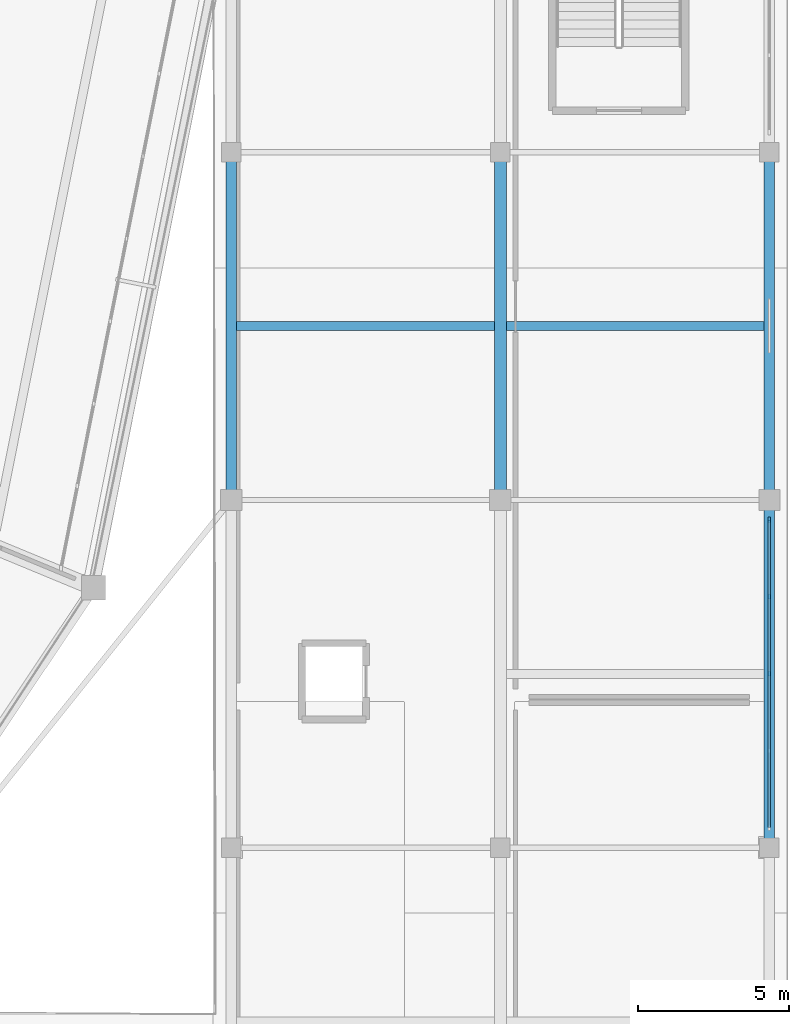
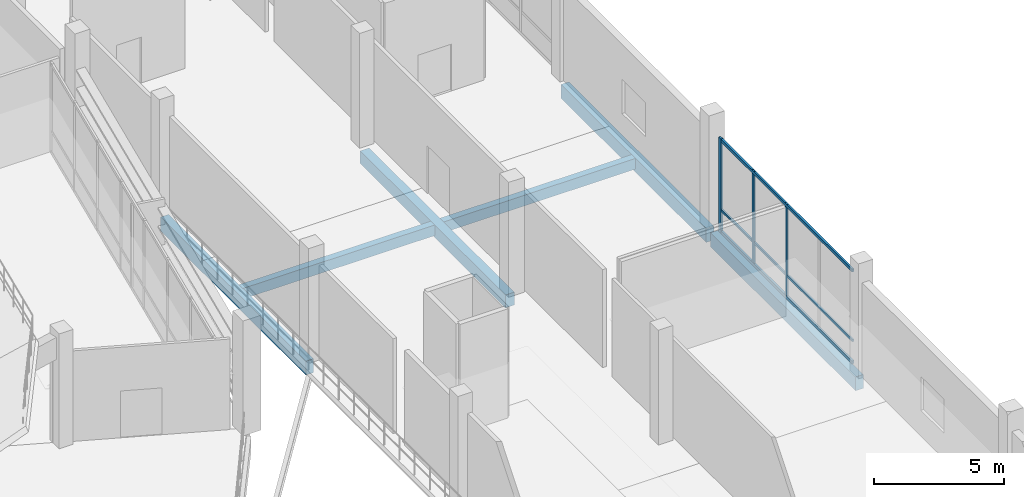
# One storey, part 40 of 127: 6 beams, 6 members, 1 element without a shape of its own.
"""IFC4 building model written with IfcOpenShell, lengths in metres."""

import ifcopenshell
import ifcopenshell.guid

model = None  # the IFC model being written
_history = None  # IfcOwnerHistory: only IFC2X3 demands one
_inside = {}  # id of a spatial element -> (the spatial element, [elements in it])
_under = {}  # id of a project, library or spatial element -> (it, [spatial elements below it])
_declared = {}  # id of a project -> (the project, [libraries it declares])
_typed = {}  # id of a type object -> (the type object, [elements of that type])
_made_of = {}  # id of a material, layer set ... -> (it, [elements and type objects made of it])


def new_model(schema):
    """Start an empty IFC model of exactly this schema.

    Asked for "IFC4X3", IfcOpenShell would pick the latest addendum, in which some entities
    have other attributes; the version numbers below select the first issue.
    IFC2X3 requires an IfcOwnerHistory on every rooted entity: one is made here for all.
    """
    global model, _history
    if schema == "IFC4X3":
        model = ifcopenshell.file(schema_version=(4, 3, 0, 0))
    else:
        model = ifcopenshell.file(schema=schema)
    _inside.clear()
    _under.clear()
    _declared.clear()
    _typed.clear()
    _made_of.clear()
    _history = None
    if model.schema == "IFC2X3":
        org = make("IfcOrganization", Name="unknown")
        user = make(
            "IfcPersonAndOrganization",
            ThePerson=make("IfcPerson", FamilyName="unknown"),
            TheOrganization=org,
        )
        app = make(
            "IfcApplication",
            ApplicationDeveloper=org,
            Version="unknown",
            ApplicationFullName="unknown",
            ApplicationIdentifier="unknown",
        )
        _history = make(
            "IfcOwnerHistory",
            OwningUser=user,
            OwningApplication=app,
            ChangeAction="ADDED",
            CreationDate=0,
        )
    return model


def make(cls, **values):
    """One entity of the class cls with the attributes given. An attribute that is None is left unset."""
    return model.create_entity(
        cls, **{name: value for name, value in values.items() if value is not None}
    )


def rooted(cls, **values):
    """An entity with a GlobalId (a new one), such as an element, a storey or a relation."""
    return make(cls, GlobalId=ifcopenshell.guid.new(), OwnerHistory=_history, **values)


def si_unit(unit_type, name, prefix=None):
    """IfcSIUnit, for example si_unit("LENGTHUNIT", "METRE", prefix="MILLI")."""
    return make("IfcSIUnit", UnitType=unit_type, Prefix=prefix, Name=name)


def assignment(units):
    """IfcUnitAssignment: the units of a project."""
    return None if units is None else make("IfcUnitAssignment", Units=units)


def point(xyz):
    """IfcCartesianPoint."""
    return None if xyz is None else make("IfcCartesianPoint", Coordinates=xyz)


def direction(xyz):
    """IfcDirection."""
    return None if xyz is None else make("IfcDirection", DirectionRatios=xyz)


def frame(location, z_axis=None, x_axis=None):
    """IfcAxis2Placement3D, a coordinate frame: its origin and axes. An axis left out is left unset."""
    return make(
        "IfcAxis2Placement3D",
        Location=point(location),
        Axis=direction(z_axis),
        RefDirection=direction(x_axis),
    )


def frame_2d(location, x_axis=None):
    """IfcAxis2Placement2D, a coordinate frame in the plane: its origin and x axis."""
    return make(
        "IfcAxis2Placement2D", Location=point(location), RefDirection=direction(x_axis)
    )


def origin():
    """The frame at (0, 0, 0) with its axes left unset."""
    return frame((0.0, 0.0, 0.0))


def origin_2d():
    """The frame at (0, 0) in the plane with its x axis left unset."""
    return frame_2d((0.0, 0.0))


def place(relative_to, where):
    """IfcLocalPlacement: puts the frame where relative to a parent placement (None: the world)."""
    return make(
        "IfcLocalPlacement", PlacementRelTo=relative_to, RelativePlacement=where
    )


def context(
    kind, dimensions, precision=None, world=None, true_north=None, identifier=None
):
    """IfcGeometricRepresentationContext, for example the 3D "Model" context."""
    return make(
        "IfcGeometricRepresentationContext",
        ContextIdentifier=identifier,
        ContextType=kind,
        CoordinateSpaceDimension=dimensions,
        Precision=precision,
        WorldCoordinateSystem=world,
        TrueNorth=true_north,
    )


def subcontext(parent, identifier, kind, view, scale=None):
    """IfcGeometricRepresentationSubContext, for example "Body" below "Model"."""
    return make(
        "IfcGeometricRepresentationSubContext",
        ContextIdentifier=identifier,
        ContextType=kind,
        ParentContext=parent,
        TargetScale=scale,
        TargetView=view,
    )


def project(units=None, contexts=None):
    """IfcProject with its units and contexts."""
    return rooted(
        "IfcProject",
        Name="project",
        RepresentationContexts=contexts,
        UnitsInContext=assignment(units),
    )


def spatial(cls, under=None, at=None, **own):
    """A site, building, storey or space (cls), placed at a placement, below another one or the project."""
    s = rooted(cls, ObjectPlacement=at, **own)
    if under is not None:
        _under.setdefault(under.id(), (under, []))[1].append(s)
    return s


def profile(cls, at=None, kind="AREA", **sizes):
    """A parametric profile (cls). Its sizes go by their IFC names, for example OverallWidth=200.0."""
    return make(cls, ProfileType=kind, Position=at, **sizes)


def rectangle(**sizes):
    """IfcRectangleProfileDef."""
    return profile("IfcRectangleProfileDef", **sizes)


def extrude(swept, where, along, depth):
    """IfcExtrudedAreaSolid: the profile swept, set in the frame where, extruded along a direction by depth."""
    return make(
        "IfcExtrudedAreaSolid",
        SweptArea=swept,
        Position=where,
        ExtrudedDirection=direction(along),
        Depth=depth,
    )


def shape(context_of_items, identifier, shape_type, items):
    """IfcShapeRepresentation: the items that make up one representation, for example the "Body"."""
    return make(
        "IfcShapeRepresentation",
        ContextOfItems=context_of_items,
        RepresentationIdentifier=identifier,
        RepresentationType=shape_type,
        Items=items,
    )


def material(Name=None, Category=None):
    """IfcMaterial."""
    return make("IfcMaterial", Name=Name, Category=Category)


def material_profile(
    of_material, cross_section, Name=None, Category=None, Priority=None
):
    """IfcMaterialProfile: a cross section and its material."""
    return make(
        "IfcMaterialProfile",
        Name=Name,
        Material=of_material,
        Profile=cross_section,
        Priority=Priority,
        Category=Category,
    )


def profile_set(profiles, Name=None, composite=None):
    """IfcMaterialProfileSet."""
    return make(
        "IfcMaterialProfileSet",
        Name=Name,
        MaterialProfiles=profiles,
        CompositeProfile=composite,
    )


def made_of(thing, what):
    """Note that an element or type object is made of a material, layer set ...; save() writes the relation."""
    if what is not None:
        _made_of.setdefault(what.id(), (what, []))[1].append(thing)
    return thing


def type_object(cls, material=None, **own):
    """A type object (cls), such as IfcWallType, which elements share."""
    return made_of(rooted(cls, **own), material)


def element(
    cls,
    number,
    at=None,
    inside=None,
    cuts=None,
    type_object=None,
    material=None,
    context=None,
    identifier="Body",
    shape_type=None,
    held_by="IfcProductDefinitionShape",
    body=None,
    shapes=None,
    **own,
):
    """One element of the class cls, such as IfcWall. Its Tag is "e" and its number.

    at: its placement. inside: the storey or other place that contains it. cuts: it is an
    opening in that element (IfcRelVoidsElement). A single representation is given by context,
    identifier, shape_type and body (its items); several are given by shapes. held_by: the class
    of the entity that holds the representations. save() writes the other relations.
    """
    e = rooted(cls, Tag="e%d" % number, ObjectPlacement=at, **own)
    if body is not None:
        shapes = [shape(context, identifier, shape_type, body)]
    if shapes is not None:
        e.Representation = make(held_by, Representations=shapes)
    if inside is not None:
        _inside.setdefault(inside.id(), (inside, []))[1].append(e)
    if cuts is not None:
        rooted(
            "IfcRelVoidsElement", RelatingBuildingElement=cuts, RelatedOpeningElement=e
        )
    if type_object is not None:
        _typed.setdefault(type_object.id(), (type_object, []))[1].append(e)
    return made_of(e, material)


def aggregate(whole, parts):
    """IfcRelAggregates: a whole, such as a stair, and the parts it consists of."""
    return rooted("IfcRelAggregates", RelatingObject=whole, RelatedObjects=parts)


def save(model, path):
    """Write the relations noted so far, then the file.

    IfcRelAggregates (storeys below a building ...), IfcRelContainedInSpatialStructure (elements
    in a storey), IfcRelDefinesByType, IfcRelAssociatesMaterial and IfcRelDeclares: one each for
    every whole, place, type object, material and project.
    """
    for whole, parts in _under.values():
        aggregate(whole, parts)
    for where, things in _inside.values():
        rooted(
            "IfcRelContainedInSpatialStructure",
            RelatedElements=things,
            RelatingStructure=where,
        )
    for kind, things in _typed.values():
        rooted("IfcRelDefinesByType", RelatedObjects=things, RelatingType=kind)
    for what, things in _made_of.values():
        rooted("IfcRelAssociatesMaterial", RelatedObjects=things, RelatingMaterial=what)
    for by, libraries in _declared.values():
        rooted("IfcRelDeclares", RelatingContext=by, RelatedDefinitions=libraries)
    model.write(path)


model = new_model("IFC4")

# Units and contexts
model_context = context("Model", 3, precision=1e-05, world=origin(), true_north=direction((0.0, 1.0)))
body_context = subcontext(model_context, "Body", "Model", "MODEL_VIEW")
ifc_project = project(units=[si_unit("LENGTHUNIT", "METRE"), si_unit("AREAUNIT", "SQUARE_METRE"), si_unit("VOLUMEUNIT", "CUBIC_METRE"), si_unit("PLANEANGLEUNIT", "RADIAN"), si_unit("MASSUNIT", "GRAM", prefix="KILO")], contexts=[model_context])

# Site, building, storey
site_placement = place(None, origin())
site = spatial("IfcSite", under=ifc_project, at=site_placement, CompositionType="ELEMENT")
building_placement = place(site_placement, origin())
building = spatial("IfcBuilding", under=site, at=building_placement, Name="Candeia Ridge Stadium", CompositionType="ELEMENT")
storey_placement = place(building_placement, frame((0.0, 0.0, 10.800048828125)))
storey = spatial("IfcBuildingStorey", under=building, at=storey_placement, Name="L02", CompositionType="ELEMENT", Elevation=10.800048828125)

# Curtain wall, members
ifc_material_1 = material(Name="Aluminium Anodized Warm Bronze", Category="aluminium")
curtain_wall_type = type_object("IfcCurtainWallType", Name="Cardinal Entrance Gate Tall Glazed Curtain Wall", PredefinedType="NOTDEFINED", material=ifc_material_1)
curtain_wall_placement = place(storey_placement, origin())
curtain_wall = element("IfcCurtainWall", 1, at=curtain_wall_placement, inside=storey, type_object=curtain_wall_type, Name="Unitised curtain wall CW-WNG-L02-106", PredefinedType="NOTDEFINED")
ifc_material_profile_1 = material_profile(ifc_material_1, rectangle(XDim=0.090087890625, YDim=0.179931640625, at=origin_2d()), Name="CWM-90x180", Category="aluminium")
ifc_profile_set_1 = profile_set([ifc_material_profile_1], Name="Aluminium Anodized Warm Bronze")
member_type_1 = type_object("IfcMemberType", Name="Curtain Wall Primary Mullion 90x180", PredefinedType="MULLION", material=ifc_profile_set_1)
member_1_placement = place(storey_placement, frame((211.39990234375, 53.340087890625, 0.0), z_axis=(0.0, 0.0, 1.0), x_axis=(1.0, 0.0, 0.0)))
member_1 = element("IfcMember", 2, at=member_1_placement, type_object=member_type_1, Name="Curtain wall mullion CW-WNG-L02-106-M4", PredefinedType="MULLION", context=body_context, shape_type="SweptSolid", body=[
    extrude(rectangle(XDim=0.090087890625, YDim=0.179931640625, at=origin_2d()), origin(), (0.0, 0.0, 1.0), 4.454833984375),
])
ifc_material_profile_2 = material_profile(ifc_material_1, rectangle(XDim=0.074951171875, YDim=0.14990234375, at=origin_2d()), Name="CWM-75x150", Category="aluminium")
ifc_profile_set_2 = profile_set([ifc_material_profile_2], Name="Aluminium Anodized Warm Bronze")
member_type_2 = type_object("IfcMemberType", Name="Curtain Wall Secondary Mullion 75x150", PredefinedType="MULLION", material=ifc_profile_set_2)
member_2_placement = place(storey_placement, frame((211.39990234375, 48.25, 0.0), z_axis=(0.0, 0.0, 1.0), x_axis=(1.0, 0.0, 0.0)))
member_2 = element("IfcMember", 3, at=member_2_placement, type_object=member_type_2, Name="Curtain wall mullion CW-WNG-L02-106-M2", PredefinedType="MULLION", context=body_context, shape_type="SweptSolid", body=[
    extrude(rectangle(XDim=0.074951171875, YDim=0.14990234375, at=origin_2d()), origin(), (0.0, 0.0, 1.0), 4.454833984375),
])
member_3_placement = place(storey_placement, frame((211.39990234375, 50.794921875, 0.0), z_axis=(0.0, 0.0, 1.0), x_axis=(1.0, 0.0, 0.0)))
member_3 = element("IfcMember", 4, at=member_3_placement, type_object=member_type_2, Name="Curtain wall mullion CW-WNG-L02-106-M3", PredefinedType="MULLION", context=body_context, shape_type="SweptSolid", body=[
    extrude(rectangle(XDim=0.074951171875, YDim=0.14990234375, at=origin_2d()), origin(), (0.0, 0.0, 1.0), 4.454833984375),
])
ifc_material_profile_3 = material_profile(ifc_material_1, rectangle(XDim=0.074951171875, YDim=0.110107421875, at=origin_2d()), Name="CWT-75x110", Category="aluminium")
ifc_profile_set_3 = profile_set([ifc_material_profile_3], Name="Aluminium Anodized Warm Bronze")
member_type_3 = type_object("IfcMemberType", Name="Curtain Wall Secondary Transom 75x110", PredefinedType="USERDEFINED", material=ifc_profile_set_3)
member_4_placement = place(storey_placement, frame((211.39990234375, 43.159912109375, 1.099853515625), z_axis=(0.0, 1.0, 0.0), x_axis=(-1.0, 0.0, 0.0)))
member_4 = element("IfcMember", 5, at=member_4_placement, type_object=member_type_3, Name="Curtain wall transom CW-WNG-L02-106-T1", ObjectType="TRANSOM", PredefinedType="USERDEFINED", context=body_context, shape_type="SweptSolid", body=[
    extrude(rectangle(XDim=0.074951171875, YDim=0.110107421875, at=origin_2d()), origin(), (0.0, 0.0, 1.0), 10.18017578125),
])
ifc_material_profile_4 = material_profile(ifc_material_1, rectangle(XDim=0.090087890625, YDim=0.139892578125, at=origin_2d()), Name="CWT-90x140", Category="aluminium")
ifc_profile_set_4 = profile_set([ifc_material_profile_4], Name="Aluminium Anodized Warm Bronze")
member_type_4 = type_object("IfcMemberType", Name="Curtain Wall Transom 90x140", PredefinedType="USERDEFINED", material=ifc_profile_set_4)
member_5_placement = place(storey_placement, frame((211.39990234375, 43.159912109375, 0.070068359375), z_axis=(0.0, 1.0, 0.0), x_axis=(-1.0, 0.0, 0.0)))
member_5 = element("IfcMember", 6, at=member_5_placement, type_object=member_type_4, Name="Curtain wall transom CW-WNG-L02-106-T0", ObjectType="TRANSOM", PredefinedType="USERDEFINED", context=body_context, shape_type="SweptSolid", body=[
    extrude(rectangle(XDim=0.090087890625, YDim=0.139892578125, at=origin_2d()), origin(), (0.0, 0.0, 1.0), 10.18017578125),
])
member_6_placement = place(storey_placement, frame((211.39990234375, 43.159912109375, 4.385009765625), z_axis=(0.0, 1.0, 0.0), x_axis=(-1.0, 0.0, 0.0)))
member_6 = element("IfcMember", 7, at=member_6_placement, type_object=member_type_4, Name="Curtain wall transom CW-WNG-L02-106-T2", ObjectType="TRANSOM", PredefinedType="USERDEFINED", context=body_context, shape_type="SweptSolid", body=[
    extrude(rectangle(XDim=0.090087890625, YDim=0.139892578125, at=origin_2d()), origin(), (0.0, 0.0, 1.0), 10.18017578125),
])
aggregate(curtain_wall, [member_2, member_3, member_1, member_5, member_4, member_6])

# Beams
ifc_material_2 = material(Name="Concrete C40/50", Category="concrete")
ifc_material_profile_5 = material_profile(ifc_material_2, rectangle(XDim=0.300048828125, YDim=0.5, at=origin_2d()), Name="RC300x500", Category="concrete")
ifc_profile_set_5 = profile_set([ifc_material_profile_5], Name="Concrete C40/50")
beam_type_1 = type_object("IfcBeamType", Name="Floor Joist RC300x500", PredefinedType="JOIST", material=ifc_profile_set_5)
for number, where, z_axis, x_axis, name in (
    (8, (193.7744140625, 59.75, -0.510009765625), (1.0, 0.0, 0.0), (0.0, 1.0, 0.0), "Wing secondary joist BM-L02-1653"),
    (9, (202.699462890625, 59.75, -0.510009765625), (1.0, 0.0, 0.0), (0.0, 1.0, 0.0), "Wing secondary joist BM-L02-1675"),
):
    element("IfcBeam", number, at=place(storey_placement, frame(where, z_axis=z_axis, x_axis=x_axis)), inside=storey, type_object=beam_type_1, Name=name, PredefinedType="JOIST", context=body_context, shape_type="SweptSolid", body=[
        extrude(rectangle(XDim=0.300048828125, YDim=0.5, at=origin_2d()), origin(), (0.0, 0.0, 1.0), 8.526123046875),
    ])
ifc_material_profile_6 = material_profile(ifc_material_2, rectangle(XDim=0.39990234375, YDim=0.60009765625, at=origin_2d()), Name="RC400x600", Category="concrete")
ifc_profile_set_6 = profile_set([ifc_material_profile_6], Name="Concrete C40/50")
beam_type_2 = type_object("IfcBeamType", Name="Frame Girder RC400x600", PredefinedType="BEAM", material=ifc_profile_set_6)
beam_placement = place(storey_placement, frame((202.5, 54.159912109375, -0.56005859375), z_axis=(0.0, 1.0, 0.0), x_axis=(-1.0, 0.0, 0.0)))
element("IfcBeam", 10, at=beam_placement, inside=storey, type_object=beam_type_2, Name="Structural girder BM-L02-1628", PredefinedType="BEAM", context=body_context, shape_type="SweptSolid", body=[
    extrude(rectangle(XDim=0.39990234375, YDim=0.60009765625, at=origin_2d()), origin(), (0.0, 0.0, 1.0), 11.18017578125),
])
ifc_material_profile_7 = material_profile(ifc_material_2, rectangle(XDim=0.35009765625, YDim=0.64990234375, at=origin_2d()), Name="RC350x650", Category="concrete")
ifc_profile_set_7 = profile_set([ifc_material_profile_7], Name="Concrete C40/50")
beam_type_3 = type_object("IfcBeamType", Name="Spandrel Beam RC350x650", PredefinedType="SPANDREL", material=ifc_profile_set_7)
for number, where, z_axis, x_axis, name in (
    (11, (193.60009765625, 54.159912109375, -0.5849609375), (0.0, 1.0, 0.0), (-1.0, 0.0, 0.0), "Structural girder BM-L02-1617"),
    (12, (211.39990234375, 42.659912109375, -0.5849609375), (0.0, 1.0, 0.0), (-1.0, 0.0, 0.0), "Structural girder BM-L02-1638"),
    (13, (211.39990234375, 54.159912109375, -0.5849609375), (0.0, 1.0, 0.0), (-1.0, 0.0, 0.0), "Structural girder BM-L02-1639"),
):
    element("IfcBeam", number, at=place(storey_placement, frame(where, z_axis=z_axis, x_axis=x_axis)), inside=storey, type_object=beam_type_3, Name=name, PredefinedType="SPANDREL", context=body_context, shape_type="SweptSolid", body=[
        extrude(rectangle(XDim=0.35009765625, YDim=0.64990234375, at=origin_2d()), origin(), (0.0, 0.0, 1.0), 11.18017578125),
    ])

save(model, "model.ifc")
